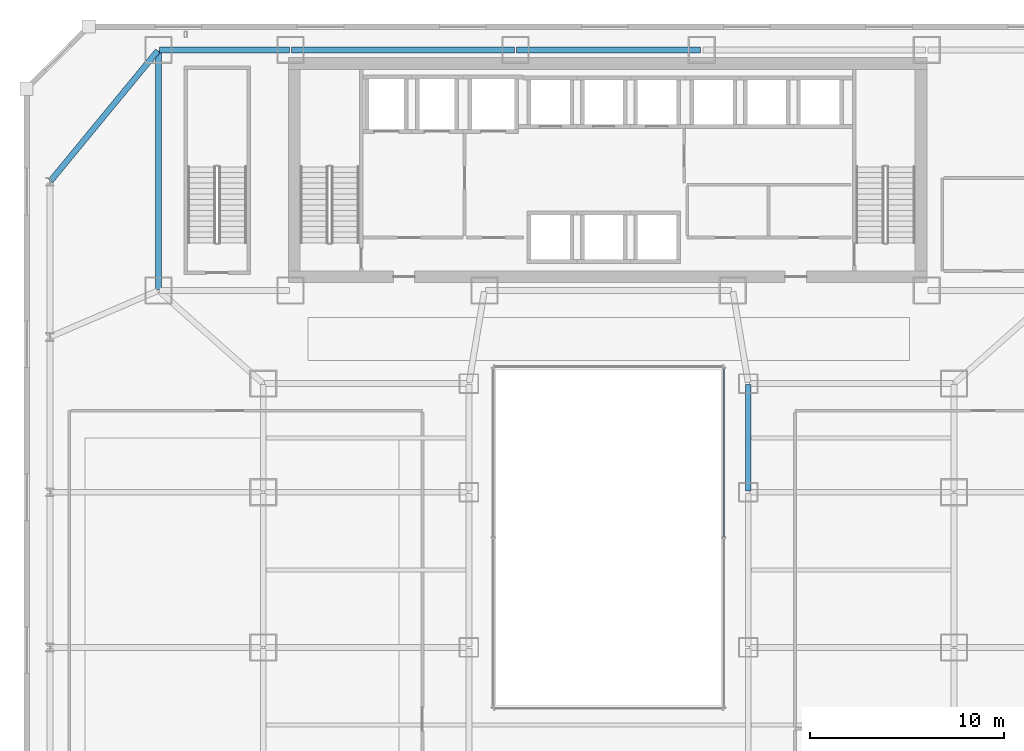
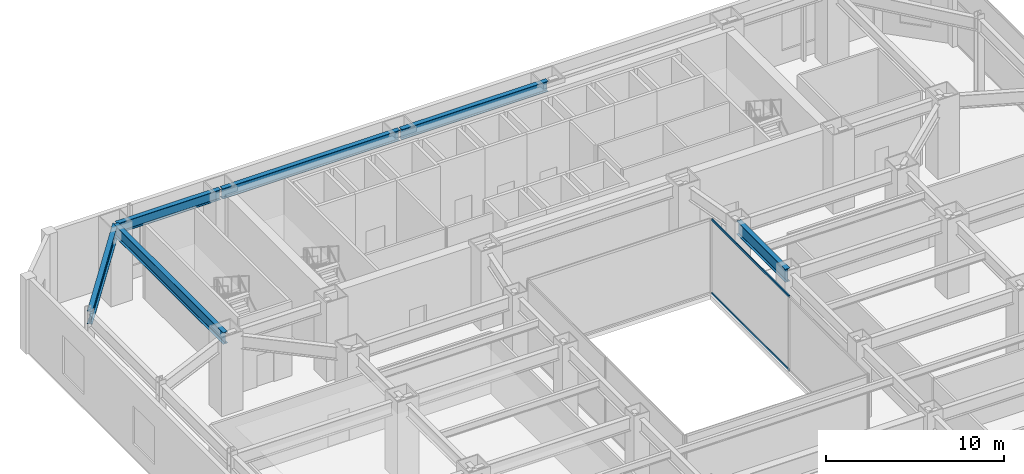
# One storey, part 25 of 52: 6 beams, 2 members, 1 element without a shape of its own.
"""IFC4 building model written with IfcOpenShell, lengths in metres."""

from ifc_helpers import new_model, si_unit, direction, frame, origin, origin_2d, place, context, subcontext, project, spatial, hollow_rectangle, i_section, extrude, material, material_profile, profile_set, type_object, element, aggregate, save


model = new_model("IFC4")

# Units and contexts
model_context = context("Model", 3, precision=1e-05, world=origin(), true_north=direction((0.0, 1.0)))
body_context = subcontext(model_context, "Body", "Model", "MODEL_VIEW")
ifc_project = project(units=[si_unit("LENGTHUNIT", "METRE"), si_unit("AREAUNIT", "SQUARE_METRE"), si_unit("VOLUMEUNIT", "CUBIC_METRE"), si_unit("PLANEANGLEUNIT", "RADIAN"), si_unit("MASSUNIT", "GRAM", prefix="KILO")], contexts=[model_context])

# Site, building, storey
site_placement = place(None, origin())
site = spatial("IfcSite", under=ifc_project, at=site_placement, CompositionType="ELEMENT")
building_placement = place(site_placement, origin())
building = spatial("IfcBuilding", under=site, at=building_placement, Name="Saevonmaru Cultural Tower", CompositionType="ELEMENT")
storey_placement = place(building_placement, frame((0.0, 0.0, 11.39990234375)))
storey = spatial("IfcBuildingStorey", under=building, at=storey_placement, Name="L02", CompositionType="ELEMENT", Elevation=11.39990234375)

# Beams
ifc_material_1 = material(Name="Steel SM420", Category="steel")
ifc_material_profile_1 = material_profile(ifc_material_1, i_section(OverallWidth=0.300048828125, OverallDepth=0.800048828125, WebThickness=0.013916015625, FlangeThickness=0.02587890625, FilletRadius=0.028076171875, at=origin_2d()), Name="H-800x300x14x26")
ifc_profile_set_1 = profile_set([ifc_material_profile_1], Name="Steel SM420")
beam_type_1 = type_object("IfcBeamType", Name="BM-G-H800", PredefinedType="BEAM", material=ifc_profile_set_1)
beam_1_placement = place(storey_placement, frame((6.800048828125, 54.739990234375, 4.7001953125), z_axis=(0.0, -1.0, 0.0), x_axis=(1.0, 0.0, 0.0)))
element("IfcBeam", 1, at=beam_1_placement, inside=storey, type_object=beam_type_1, Name="L02 Spine Transverse Girder W", PredefinedType="BEAM", context=body_context, shape_type="SweptSolid", body=[
    extrude(i_section(OverallWidth=0.300048828125, OverallDepth=0.800048828125, WebThickness=0.013916015625, FlangeThickness=0.02587890625, FilletRadius=0.028076171875, at=origin_2d()), origin(), (0.0, 0.0, 1.0), 12.280029296875),
])
ifc_material_profile_2 = material_profile(ifc_material_1, i_section(OverallWidth=0.300048828125, OverallDepth=0.89990234375, WebThickness=0.01611328125, FlangeThickness=0.028076171875, FilletRadius=0.028076171875, at=origin_2d()), Name="H-900x300x16x28")
ifc_profile_set_2 = profile_set([ifc_material_profile_2], Name="Steel SM420")
beam_type_2 = type_object("IfcBeamType", Name="BM-G-H900", PredefinedType="BEAM", material=ifc_profile_set_2)
beam_2_placement = place(storey_placement, frame((37.199951171875, 32.06005859375, 4.650146484375), z_axis=(0.0, 1.0, 0.0), x_axis=(-1.0, 0.0, 0.0)))
element("IfcBeam", 2, at=beam_2_placement, inside=storey, type_object=beam_type_2, Name="L02 Podium Girder NS3-5", PredefinedType="BEAM", context=body_context, shape_type="SweptSolid", body=[
    extrude(i_section(OverallWidth=0.300048828125, OverallDepth=0.89990234375, WebThickness=0.01611328125, FlangeThickness=0.028076171875, FilletRadius=0.028076171875, at=origin_2d()), origin(), (0.0, 0.0, 1.0), 5.47998046875),
])
beam_3_placement = place(storey_placement, frame((1.238037109375, 48.04638671875, 4.650146484375), z_axis=(0.635726949651, 0.771914014309, 0.0), x_axis=(-0.771914014309, 0.635726949651, 0.0)))
element("IfcBeam", 3, at=beam_3_placement, inside=storey, type_object=beam_type_2, Name="BM-POD-TW2-L02", PredefinedType="BEAM", context=body_context, shape_type="SweptSolid", body=[
    extrude(i_section(OverallWidth=0.300048828125, OverallDepth=0.89990234375, WebThickness=0.01611328125, FlangeThickness=0.028076171875, FilletRadius=0.028076171875, at=origin_2d()), origin(), (0.0, 0.0, 1.0), 8.689208984375),
])
ifc_material_2 = material(Name="Steel SM355", Category="steel")
ifc_material_profile_3 = material_profile(ifc_material_2, i_section(OverallWidth=0.300048828125, OverallDepth=0.699951171875, WebThickness=0.012939453125, FlangeThickness=0.02392578125, FilletRadius=0.02587890625, at=origin_2d()), Name="H-700x300x13x24")
ifc_profile_set_3 = profile_set([ifc_material_profile_3], Name="Steel SM355")
beam_type_3 = type_object("IfcBeamType", Name="BM-SP-H700", PredefinedType="SPANDREL", material=ifc_profile_set_3)
beam_4_placement = place(storey_placement, frame((6.860107421875, 54.800048828125, 4.75), z_axis=(1.0, 0.0, 0.0), x_axis=(0.0, 1.0, 0.0)))
element("IfcBeam", 4, at=beam_4_placement, inside=storey, type_object=beam_type_3, Name="L02 North Spine Girder 1", PredefinedType="SPANDREL", context=body_context, shape_type="SweptSolid", body=[
    extrude(i_section(OverallWidth=0.300048828125, OverallDepth=0.699951171875, WebThickness=0.012939453125, FlangeThickness=0.02392578125, FilletRadius=0.02587890625, at=origin_2d()), origin(), (0.0, 0.0, 1.0), 6.679931640625),
])
beam_5_placement = place(storey_placement, frame((13.659912109375, 54.800048828125, 4.75), z_axis=(1.0, 0.0, 0.0), x_axis=(0.0, 1.0, 0.0)))
element("IfcBeam", 5, at=beam_5_placement, inside=storey, type_object=beam_type_3, Name="L02 North Spine Girder 2", PredefinedType="SPANDREL", context=body_context, shape_type="SweptSolid", body=[
    extrude(i_section(OverallWidth=0.300048828125, OverallDepth=0.699951171875, WebThickness=0.012939453125, FlangeThickness=0.02392578125, FilletRadius=0.02587890625, at=origin_2d()), origin(), (0.0, 0.0, 1.0), 11.47998046875),
])
beam_6_placement = place(storey_placement, frame((25.260009765625, 54.800048828125, 4.75), z_axis=(1.0, 0.0, 0.0), x_axis=(0.0, 1.0, 0.0)))
element("IfcBeam", 6, at=beam_6_placement, inside=storey, type_object=beam_type_3, Name="L02 North Spine Girder 3", PredefinedType="SPANDREL", context=body_context, shape_type="SweptSolid", body=[
    extrude(i_section(OverallWidth=0.300048828125, OverallDepth=0.699951171875, WebThickness=0.012939453125, FlangeThickness=0.02392578125, FilletRadius=0.02587890625, at=origin_2d()), origin(), (0.0, 0.0, 1.0), 9.47998046875),
])

# Curtain wall, members
ifc_material_3 = material(Name="Satin Bronze Anodised Aluminium", Category="aluminium")
curtain_wall_type = type_object("IfcCurtainWallType", Name="CW-ATR-GLZ", PredefinedType="NOTDEFINED", material=ifc_material_3)
curtain_wall_placement = place(storey_placement, origin())
curtain_wall = element("IfcCurtainWall", 7, at=curtain_wall_placement, inside=storey, type_object=curtain_wall_type, Name="L02 Vertical Atrium Glazed Smoke Screen 2", PredefinedType="NOTDEFINED")
ifc_material_profile_4 = material_profile(ifc_material_3, hollow_rectangle(XDim=0.06494140625, YDim=0.14990234375, WallThickness=0.00390625, at=origin_2d()), Name="ALU-TRAN-150x65x4")
ifc_profile_set_4 = profile_set([ifc_material_profile_4], Name="Satin Bronze Anodised Aluminium")
member_type = type_object("IfcMemberType", Name="TR-CW-INT-150x65", PredefinedType="USERDEFINED", material=ifc_profile_set_4)
member_1_placement = place(storey_placement, frame((35.949951171875, 29.6923828125, 0.03271484375), z_axis=(0.0, 1.0, 0.0), x_axis=(-1.0, 0.0, 0.0)))
member_1 = element("IfcMember", 8, at=member_1_placement, type_object=member_type, Name="CW-ATR-L02-2 transom 2.1", ObjectType="TRANSOM", PredefinedType="USERDEFINED", context=body_context, shape_type="SweptSolid", body=[
    extrude(hollow_rectangle(XDim=0.06494140625, YDim=0.14990234375, WallThickness=0.00390625, at=origin_2d()), origin(), (0.0, 0.0, 1.0), 8.68505859375),
])
member_2_placement = place(storey_placement, frame((35.949951171875, 29.6923828125, 5.067626953125), z_axis=(0.0, 1.0, 0.0), x_axis=(-1.0, 0.0, 0.0)))
member_2 = element("IfcMember", 9, at=member_2_placement, type_object=member_type, Name="CW-ATR-L02-2 transom 2.2", ObjectType="TRANSOM", PredefinedType="USERDEFINED", context=body_context, shape_type="SweptSolid", body=[
    extrude(hollow_rectangle(XDim=0.06494140625, YDim=0.14990234375, WallThickness=0.00390625, at=origin_2d()), origin(), (0.0, 0.0, 1.0), 8.68505859375),
])
aggregate(curtain_wall, [member_1, member_2])

save(model, "model.ifc")
